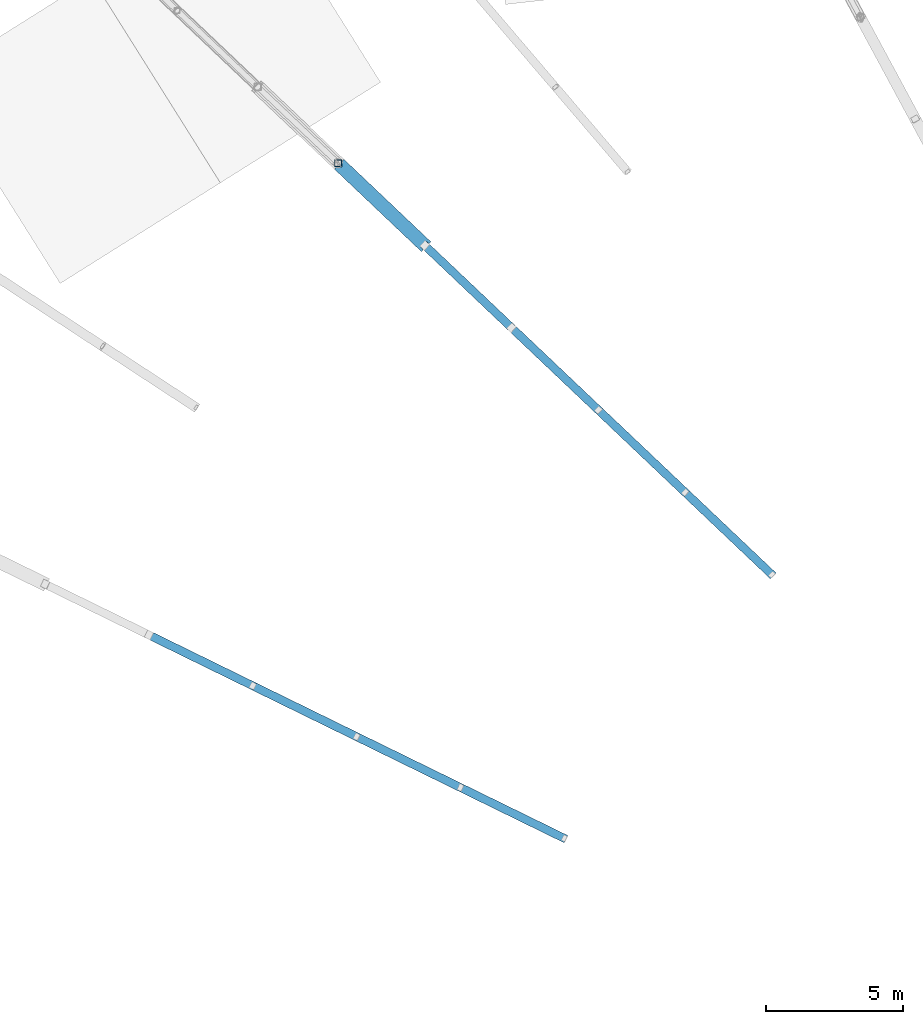
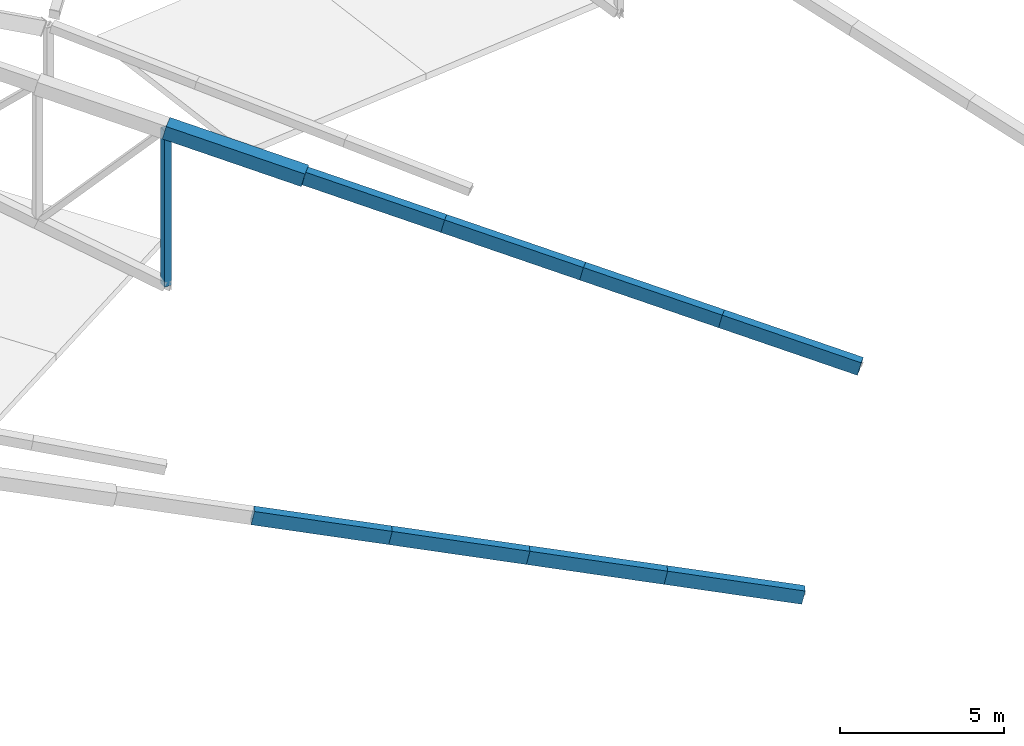
# One storey, part 70 of 188: 10 members.
"""IFC4 building model written with IfcOpenShell, lengths in metres."""

from ifc_helpers import new_model, si_unit, direction, frame, origin, origin_2d, place, context, subcontext, project, spatial, hollow_rectangle, extrude, material, material_profile, profile_set, type_object, element, save


model = new_model("IFC4")

# Units and contexts
model_context = context("Model", 3, precision=1e-05, world=origin(), true_north=direction((0.0, 1.0)))
body_context = subcontext(model_context, "Body", "Model", "MODEL_VIEW")
ifc_project = project(units=[si_unit("LENGTHUNIT", "METRE"), si_unit("AREAUNIT", "SQUARE_METRE"), si_unit("VOLUMEUNIT", "CUBIC_METRE"), si_unit("PLANEANGLEUNIT", "RADIAN"), si_unit("MASSUNIT", "GRAM", prefix="KILO")], contexts=[model_context])

# Site, building, storey
site_placement = place(None, origin())
site = spatial("IfcSite", under=ifc_project, at=site_placement, CompositionType="ELEMENT")
building_placement = place(site_placement, origin())
building = spatial("IfcBuilding", under=site, at=building_placement, Name="Meseta Stadium", CompositionType="ELEMENT")
storey_placement = place(building_placement, frame((0.0, 0.0, 30.0)))
storey = spatial("IfcBuildingStorey", under=building, at=storey_placement, Name="ROOF", CompositionType="ELEMENT", Elevation=30.0)

# Members
ifc_material_1 = material(Name="Steel S355", Category="steel")
ifc_material_profile_1 = material_profile(ifc_material_1, hollow_rectangle(XDim=0.300048828125, YDim=0.5, WallThickness=0.01611328125, at=origin_2d()), Name="RHS 500x300x16")
ifc_profile_set_1 = profile_set([ifc_material_profile_1], Name="Steel S355")
member_type_1 = type_object("IfcMemberType", Name="RHS 500x300x16 top chord", PredefinedType="CHORD", material=ifc_profile_set_1)
member_1_placement = place(storey_placement, frame((-47.903076171875, 70.75927734375, 1.152099609375), z_axis=(-0.704899888459, 0.66852953327, 0.237032509153), x_axis=(-0.688140350493, -0.725577603033, 0.0)))
element("IfcMember", 1, at=member_1_placement, inside=storey, type_object=member_type_1, Name="ROOF TRUSS RT-24 top chord", PredefinedType="CHORD", context=body_context, shape_type="SweptSolid", body=[
    extrude(hollow_rectangle(XDim=0.300048828125, YDim=0.5, WallThickness=0.01611328125, at=origin_2d()), origin(), (0.0, 0.0, 1.0), 4.49072265625),
])
for number, where, z_axis, x_axis, name in (
    (2, (-51.068603515625, 73.761474609375, 2.216552734375), (-0.704901620819, 0.668533981093, 0.237014811967), (-0.688141870449, -0.725576161499, 0.0), "ROOF TRUSS RT-24 top chord"),
    (3, (-54.234375, 76.763916015625, 3.281005859375), (-0.704865185934, 0.668550983851, 0.237075202519), (-0.688169809663, -0.725549662717, 0.0), "ROOF TRUSS RT-24 top chord"),
    (4, (-57.39990234375, 79.766357421875, 4.345703125), (-0.704927238924, 0.668503914325, 0.237023425751), (-0.688112410324, -0.725604100566, 0.0), "ROOF TRUSS RT-24 top chord"),
):
    element("IfcMember", number, at=place(storey_placement, frame(where, z_axis=z_axis, x_axis=x_axis)), inside=storey, type_object=member_type_1, Name=name, PredefinedType="CHORD", context=body_context, shape_type="SweptSolid", body=[
        extrude(hollow_rectangle(XDim=0.300048828125, YDim=0.5, WallThickness=0.01611328125, at=origin_2d()), origin(), (0.0, 0.0, 1.0), 4.490966796875),
    ])
for number, where, z_axis, x_axis, name in (
    (5, (-55.471435546875, 61.14453125, 1.10791015625), (-0.87645329063, 0.429187549885, 0.218237660288), (-0.43978836159, -0.898101440267, 0.0), "ROOF TRUSS RT-26 top chord"),
    (6, (-59.259033203125, 62.999267578125, 2.051025390625), (-0.876487635382, 0.429120211303, 0.218232145374), (-0.439718804076, -0.89813549832, 0.0), "ROOF TRUSS RT-26 top chord"),
    (7, (-63.046875, 64.853759765625, 2.994140625), (-0.876487635382, 0.429120211303, 0.218232145374), (-0.439718804076, -0.89813549832, 0.0), "ROOF TRUSS RT-26 top chord"),
):
    element("IfcMember", number, at=place(storey_placement, frame(where, z_axis=z_axis, x_axis=x_axis)), inside=storey, type_object=member_type_1, Name=name, PredefinedType="CHORD", context=body_context, shape_type="SweptSolid", body=[
        extrude(hollow_rectangle(XDim=0.300048828125, YDim=0.5, WallThickness=0.01611328125, at=origin_2d()), origin(), (0.0, 0.0, 1.0), 4.321533203125),
    ])
member_2_placement = place(storey_placement, frame((-66.834716796875, 66.708251953125, 3.937255859375), z_axis=(-0.876474541078, 0.429141460231, 0.218242951668), x_axis=(-0.439741666741, -0.89812430461, 0.0)))
element("IfcMember", 8, at=member_2_placement, inside=storey, type_object=member_type_1, Name="ROOF TRUSS RT-26 top chord", PredefinedType="CHORD", context=body_context, shape_type="SweptSolid", body=[
    extrude(hollow_rectangle(XDim=0.300048828125, YDim=0.5, WallThickness=0.01611328125, at=origin_2d()), origin(), (0.0, 0.0, 1.0), 4.3212890625),
])
ifc_material_2 = material(Name="Steel S355", Category="steel")
ifc_material_profile_2 = material_profile(ifc_material_2, hollow_rectangle(XDim=0.25, YDim=0.25, WallThickness=0.010009765625, at=origin_2d()), Name="SHS 250x250x10")
ifc_profile_set_2 = profile_set([ifc_material_profile_2], Name="Steel S355")
member_type_2 = type_object("IfcMemberType", Name="SHS 250x250x10 post", PredefinedType="POST", material=ifc_profile_set_2)
member_3_placement = place(storey_placement, frame((-63.731201171875, 85.77099609375, 0.657470703125), z_axis=(0.0, 0.0, 1.0), x_axis=(1.0, 0.0, 0.0)))
element("IfcMember", 9, at=member_3_placement, inside=storey, type_object=member_type_2, Name="ROOF TRUSS RT-24 post", PredefinedType="POST", context=body_context, shape_type="SweptSolid", body=[
    extrude(hollow_rectangle(XDim=0.25, YDim=0.25, WallThickness=0.010009765625, at=origin_2d()), origin(), (0.0, 0.0, 1.0), 5.817138671875),
])
ifc_material_3 = material(Name="Steel S355", Category="steel")
ifc_material_profile_3 = material_profile(ifc_material_3, hollow_rectangle(XDim=0.5, YDim=0.5, WallThickness=0.01611328125, at=origin_2d()), Name="SHS 500x500x16")
ifc_profile_set_3 = profile_set([ifc_material_profile_3], Name="Steel S355")
member_type_3 = type_object("IfcMemberType", Name="SHS 500x500x16 top chord", PredefinedType="CHORD", material=ifc_profile_set_3)
member_4_placement = place(storey_placement, frame((-60.565673828125, 82.7685546875, 5.41015625), z_axis=(-0.704874269384, 0.668559599328, 0.237023894379), x_axis=(-0.688169809663, -0.725549662717, 0.0)))
element("IfcMember", 10, at=member_4_placement, inside=storey, type_object=member_type_3, Name="ROOF TRUSS RT-24 top chord", PredefinedType="CHORD", context=body_context, shape_type="SweptSolid", body=[
    extrude(hollow_rectangle(XDim=0.5, YDim=0.5, WallThickness=0.01611328125, at=origin_2d()), origin(), (0.0, 0.0, 1.0), 4.490966796875),
])

save(model, "model.ifc")
